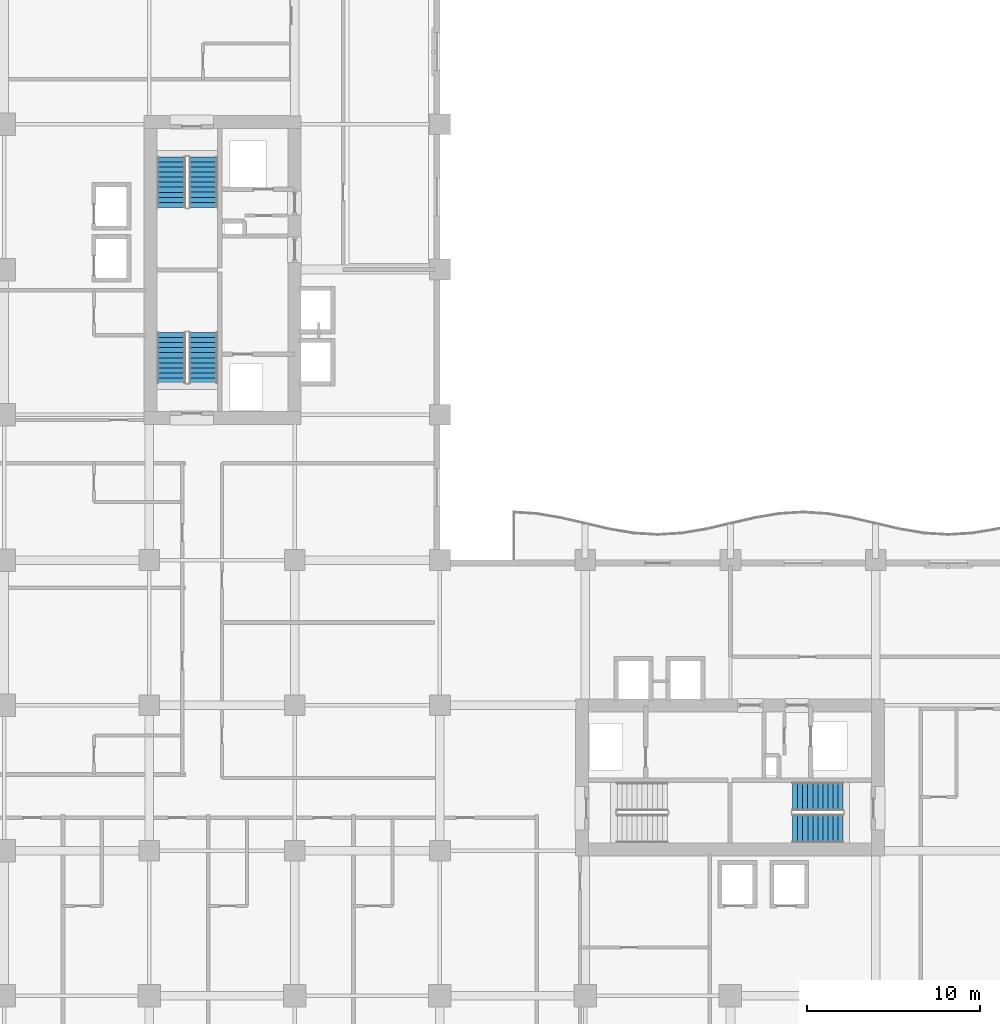
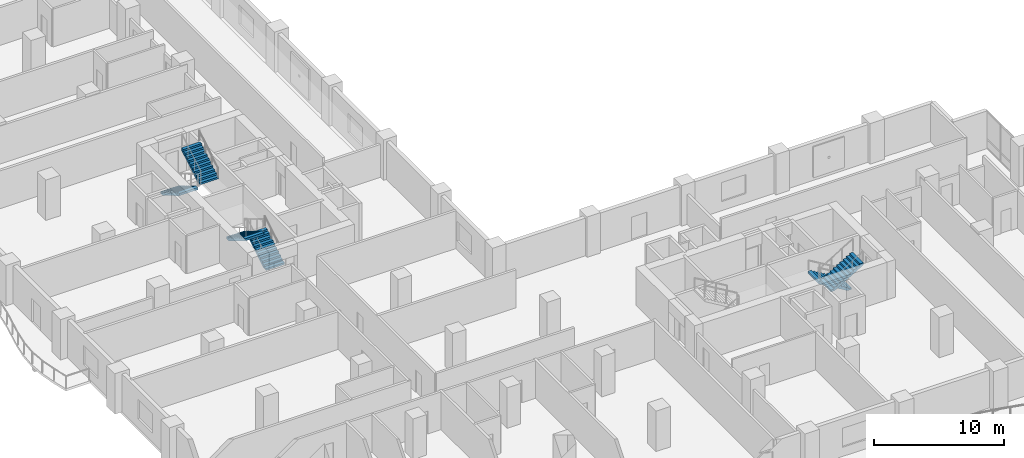
# One storey, part 17 of 24: 6 stair flights, 3 elements without a shape of their own.
"""IFC4 building model written with IfcOpenShell, lengths in metres."""

from ifc_helpers import new_model, si_unit, direction, frame, origin, place, context, subcontext, project, spatial, polyline, outline, extrude, material, type_object, element, aggregate, save


model = new_model("IFC4")

# Units and contexts
model_context = context("Model", 3, precision=1e-05, world=origin(), true_north=direction((0.0, 1.0)))
body_context = subcontext(model_context, "Body", "Model", "MODEL_VIEW")
ifc_project = project(units=[si_unit("LENGTHUNIT", "METRE"), si_unit("AREAUNIT", "SQUARE_METRE"), si_unit("VOLUMEUNIT", "CUBIC_METRE"), si_unit("PLANEANGLEUNIT", "RADIAN"), si_unit("MASSUNIT", "GRAM", prefix="KILO")], contexts=[model_context])

# Site, building, storey
site_placement = place(None, origin())
site = spatial("IfcSite", under=ifc_project, at=site_placement, CompositionType="ELEMENT")
building_placement = place(site_placement, origin())
building = spatial("IfcBuilding", under=site, at=building_placement, Name="Koriwani Terraces Tower", CompositionType="ELEMENT")
storey_placement = place(building_placement, frame((0.0, 0.0, 103.800048828125)))
storey = spatial("IfcBuildingStorey", under=building, at=storey_placement, Name="L24", CompositionType="ELEMENT", Elevation=103.800048828125)

# Stair, stair flights
ifc_material = material(Name="Concrete C40/50", Category="concrete")
stair_type = type_object("IfcStairType", Name="STAIR_CORE_DOGLEG_1650", PredefinedType="TWO_STRAIGHT_RUN_STAIR", material=ifc_material)
stair_1_placement = place(storey_placement, origin())
stair_1 = element("IfcStair", 1, at=stair_1_placement, inside=storey, type_object=stair_type, Name="L24 West Core Exit Stair 1", PredefinedType="HALF_TURN_STAIR")
stair_flight_type = type_object("IfcStairFlightType", Name="STAIR_FLIGHT_RC_1650", PredefinedType="STRAIGHT", material=ifc_material)
stair_flight_1_placement = place(storey_placement, frame((19.925048828125, 43.85009765625, 0.0), z_axis=(0.0, 0.0, 1.0), x_axis=(0.0, 1.0, 0.0)))
stair_flight_1 = element("IfcStairFlight", 2, at=stair_flight_1_placement, type_object=stair_flight_type, Name="ST-W1 flight 1", NumberOfRisers=11, NumberOfTreads=10, PredefinedType="STRAIGHT", RiserHeight=0.172727273, TreadLength=0.29, context=body_context, shape_type="SweptSolid", body=[
    extrude(outline(polyline([(0.0, 0.0), (0.0, 0.172607421875), (0.2900390625, 0.172607421875), (0.2900390625, 0.345458984375), (0.580078125, 0.345458984375), (0.580078125, 0.51806640625), (0.8701171875, 0.51806640625), (0.8701171875, 0.69091796875), (1.159912109375, 0.69091796875), (1.159912109375, 0.863525390625), (1.449951171875, 0.863525390625), (1.449951171875, 1.036376953125), (1.739990234375, 1.036376953125), (1.739990234375, 1.208984375), (2.030029296875, 1.208984375), (2.030029296875, 1.3818359375), (2.320068359375, 1.3818359375), (2.320068359375, 1.554443359375), (2.610107421875, 1.554443359375), (2.610107421875, 1.727294921875), (2.89990234375, 1.727294921875), (2.89990234375, 1.89990234375), (2.89990234375, 1.517822265625), (0.3515625, 0.0), (0.0, 0.0)])), frame((0.0, 0.824951171875, 0.0), z_axis=(0.0, -1.0, 0.0), x_axis=(1.0, 0.0, 0.0)), (0.0, 0.0, 1.0), 1.64990234375),
])
stair_flight_2_placement = place(storey_placement, frame((18.074951171875, 46.75, 1.89990234375), z_axis=(0.0, 0.0, 1.0), x_axis=(0.0, -1.0, 0.0)))
stair_flight_2 = element("IfcStairFlight", 3, at=stair_flight_2_placement, type_object=stair_flight_type, Name="ST-W1 flight 2", NumberOfRisers=11, NumberOfTreads=10, PredefinedType="STRAIGHT", RiserHeight=0.172727273, TreadLength=0.29, context=body_context, shape_type="SweptSolid", body=[
    extrude(outline(polyline([(0.0, 0.0), (0.0, 0.172607421875), (0.2900390625, 0.172607421875), (0.2900390625, 0.345458984375), (0.580078125, 0.345458984375), (0.580078125, 0.51806640625), (0.8701171875, 0.51806640625), (0.8701171875, 0.69091796875), (1.159912109375, 0.69091796875), (1.159912109375, 0.863525390625), (1.449951171875, 0.863525390625), (1.449951171875, 1.036376953125), (1.739990234375, 1.036376953125), (1.739990234375, 1.208984375), (2.030029296875, 1.208984375), (2.030029296875, 1.3818359375), (2.320068359375, 1.3818359375), (2.320068359375, 1.554443359375), (2.610107421875, 1.554443359375), (2.610107421875, 1.727294921875), (2.89990234375, 1.727294921875), (2.89990234375, 1.89990234375), (2.89990234375, 1.517822265625), (0.3515625, 0.0), (0.0, 0.0)])), frame((0.0, 0.824951171875, 0.0), z_axis=(0.0, -1.0, 0.0), x_axis=(1.0, 0.0, 0.0)), (0.0, 0.0, 1.0), 1.64990234375),
])
aggregate(stair_1, [stair_flight_1, stair_flight_2])

stair_2_placement = place(storey_placement, origin())
stair_2 = element("IfcStair", 4, at=stair_2_placement, inside=storey, type_object=stair_type, Name="L24 West Core Exit Stair 2", PredefinedType="HALF_TURN_STAIR")
stair_flight_3_placement = place(storey_placement, frame((18.074951171875, 56.89990234375, 0.0), z_axis=(0.0, 0.0, 1.0), x_axis=(0.0, -1.0, 0.0)))
stair_flight_3 = element("IfcStairFlight", 5, at=stair_flight_3_placement, type_object=stair_flight_type, Name="ST-W2 flight 1", NumberOfRisers=11, NumberOfTreads=10, PredefinedType="STRAIGHT", RiserHeight=0.172727273, TreadLength=0.29, context=body_context, shape_type="SweptSolid", body=[
    extrude(outline(polyline([(0.0, 0.0), (0.0, 0.172607421875), (0.2900390625, 0.172607421875), (0.2900390625, 0.345458984375), (0.580078125, 0.345458984375), (0.580078125, 0.51806640625), (0.8701171875, 0.51806640625), (0.8701171875, 0.69091796875), (1.159912109375, 0.69091796875), (1.159912109375, 0.863525390625), (1.449951171875, 0.863525390625), (1.449951171875, 1.036376953125), (1.739990234375, 1.036376953125), (1.739990234375, 1.208984375), (2.030029296875, 1.208984375), (2.030029296875, 1.3818359375), (2.320068359375, 1.3818359375), (2.320068359375, 1.554443359375), (2.610107421875, 1.554443359375), (2.610107421875, 1.727294921875), (2.89990234375, 1.727294921875), (2.89990234375, 1.89990234375), (2.89990234375, 1.517822265625), (0.3515625, 0.0), (0.0, 0.0)])), frame((0.0, 0.824951171875, 0.0), z_axis=(0.0, -1.0, 0.0), x_axis=(1.0, 0.0, 0.0)), (0.0, 0.0, 1.0), 1.64990234375),
])
stair_flight_4_placement = place(storey_placement, frame((19.925048828125, 54.0, 1.89990234375), z_axis=(0.0, 0.0, 1.0), x_axis=(0.0, 1.0, 0.0)))
stair_flight_4 = element("IfcStairFlight", 6, at=stair_flight_4_placement, type_object=stair_flight_type, Name="ST-W2 flight 2", NumberOfRisers=11, NumberOfTreads=10, PredefinedType="STRAIGHT", RiserHeight=0.172727273, TreadLength=0.29, context=body_context, shape_type="SweptSolid", body=[
    extrude(outline(polyline([(0.0, 0.0), (0.0, 0.172607421875), (0.2900390625, 0.172607421875), (0.2900390625, 0.345458984375), (0.580078125, 0.345458984375), (0.580078125, 0.51806640625), (0.8701171875, 0.51806640625), (0.8701171875, 0.69091796875), (1.159912109375, 0.69091796875), (1.159912109375, 0.863525390625), (1.449951171875, 0.863525390625), (1.449951171875, 1.036376953125), (1.739990234375, 1.036376953125), (1.739990234375, 1.208984375), (2.030029296875, 1.208984375), (2.030029296875, 1.3818359375), (2.320068359375, 1.3818359375), (2.320068359375, 1.554443359375), (2.610107421875, 1.554443359375), (2.610107421875, 1.727294921875), (2.89990234375, 1.727294921875), (2.89990234375, 1.89990234375), (2.89990234375, 1.517822265625), (0.3515625, 0.0), (0.0, 0.0)])), frame((0.0, 0.824951171875, 0.0), z_axis=(0.0, -1.0, 0.0), x_axis=(1.0, 0.0, 0.0)), (0.0, 0.0, 1.0), 1.64990234375),
])
aggregate(stair_2, [stair_flight_3, stair_flight_4])

stair_3_placement = place(storey_placement, origin())
stair_3 = element("IfcStair", 7, at=stair_3_placement, inside=storey, type_object=stair_type, Name="L24 East Core Exit Stair 2", PredefinedType="HALF_TURN_STAIR")
stair_flight_5_placement = place(storey_placement, frame((56.89990234375, 19.925048828125, 0.0), z_axis=(0.0, 0.0, 1.0), x_axis=(-1.0, 0.0, 0.0)))
stair_flight_5 = element("IfcStairFlight", 8, at=stair_flight_5_placement, type_object=stair_flight_type, Name="ST-E2 flight 1", NumberOfRisers=11, NumberOfTreads=10, PredefinedType="STRAIGHT", RiserHeight=0.172727273, TreadLength=0.29, context=body_context, shape_type="SweptSolid", body=[
    extrude(outline(polyline([(0.0, 0.0), (0.0, 0.172607421875), (0.2900390625, 0.172607421875), (0.2900390625, 0.345458984375), (0.580078125, 0.345458984375), (0.580078125, 0.51806640625), (0.8701171875, 0.51806640625), (0.8701171875, 0.69091796875), (1.159912109375, 0.69091796875), (1.159912109375, 0.863525390625), (1.449951171875, 0.863525390625), (1.449951171875, 1.036376953125), (1.739990234375, 1.036376953125), (1.739990234375, 1.208984375), (2.030029296875, 1.208984375), (2.030029296875, 1.3818359375), (2.320068359375, 1.3818359375), (2.320068359375, 1.554443359375), (2.610107421875, 1.554443359375), (2.610107421875, 1.727294921875), (2.89990234375, 1.727294921875), (2.89990234375, 1.89990234375), (2.89990234375, 1.517822265625), (0.3515625, 0.0), (0.0, 0.0)])), frame((0.0, 0.824951171875, 0.0), z_axis=(0.0, -1.0, 0.0), x_axis=(1.0, 0.0, 0.0)), (0.0, 0.0, 1.0), 1.64990234375),
])
stair_flight_6_placement = place(storey_placement, frame((54.0, 18.074951171875, 1.89990234375), z_axis=(0.0, 0.0, 1.0), x_axis=(1.0, 0.0, 0.0)))
stair_flight_6 = element("IfcStairFlight", 9, at=stair_flight_6_placement, type_object=stair_flight_type, Name="ST-E2 flight 2", NumberOfRisers=11, NumberOfTreads=10, PredefinedType="STRAIGHT", RiserHeight=0.172727273, TreadLength=0.29, context=body_context, shape_type="SweptSolid", body=[
    extrude(outline(polyline([(0.0, 0.0), (0.0, 0.172607421875), (0.2900390625, 0.172607421875), (0.2900390625, 0.345458984375), (0.580078125, 0.345458984375), (0.580078125, 0.51806640625), (0.8701171875, 0.51806640625), (0.8701171875, 0.69091796875), (1.159912109375, 0.69091796875), (1.159912109375, 0.863525390625), (1.449951171875, 0.863525390625), (1.449951171875, 1.036376953125), (1.739990234375, 1.036376953125), (1.739990234375, 1.208984375), (2.030029296875, 1.208984375), (2.030029296875, 1.3818359375), (2.320068359375, 1.3818359375), (2.320068359375, 1.554443359375), (2.610107421875, 1.554443359375), (2.610107421875, 1.727294921875), (2.89990234375, 1.727294921875), (2.89990234375, 1.89990234375), (2.89990234375, 1.517822265625), (0.3515625, 0.0), (0.0, 0.0)])), frame((0.0, 0.824951171875, 0.0), z_axis=(0.0, -1.0, 0.0), x_axis=(1.0, 0.0, 0.0)), (0.0, 0.0, 1.0), 1.64990234375),
])
aggregate(stair_3, [stair_flight_5, stair_flight_6])

save(model, "model.ifc")
